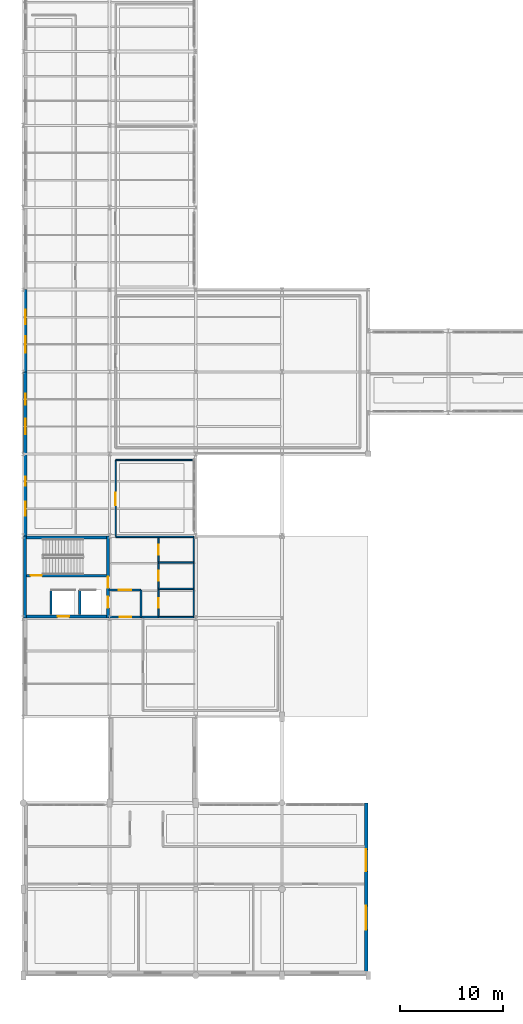
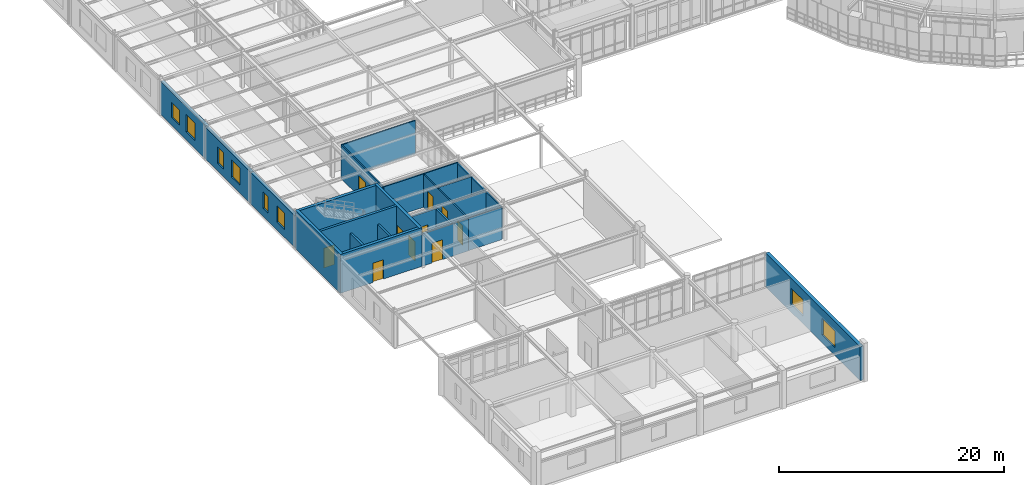
# One storey, part 72 of 90: 22 walls, 10 doors, 8 windows, 18 openings.
"""IFC4 building model written with IfcOpenShell, lengths in metres."""

from ifc_helpers import new_model, si_unit, derived_unit, direction, frame, frame_2d, origin, place, context, subcontext, project, spatial, rectangle, extrude, material, layer, layer_set, type_object, element, fill, save


model = new_model("IFC4")

# Units and contexts
model_context = context("Model", 3, precision=1e-05, world=origin(), true_north=direction((0.0, 1.0)))
body_context = subcontext(model_context, "Body", "Model", "MODEL_VIEW")
ifc_project = project(units=[si_unit("LENGTHUNIT", "METRE"), si_unit("AREAUNIT", "SQUARE_METRE"), si_unit("VOLUMEUNIT", "CUBIC_METRE"), si_unit("PLANEANGLEUNIT", "RADIAN"), si_unit("MASSUNIT", "GRAM", prefix="KILO"), derived_unit("THERMALTRANSMITTANCEUNIT", [(si_unit("POWERUNIT", "WATT"), 1), (si_unit("AREAUNIT", "SQUARE_METRE"), -1), (si_unit("THERMODYNAMICTEMPERATUREUNIT", "KELVIN"), -1)])], contexts=[model_context])

# Site, building, storey
site_placement = place(None, origin())
site = spatial("IfcSite", under=ifc_project, at=site_placement, CompositionType="ELEMENT")
building_placement = place(site_placement, origin())
building = spatial("IfcBuilding", under=site, at=building_placement, Name="Yasenodar Specialist Clinic", CompositionType="ELEMENT")
storey_placement = place(building_placement, frame((0.0, 0.0, 9.0)))
storey = spatial("IfcBuildingStorey", under=building, at=storey_placement, Name="L02", CompositionType="ELEMENT", Elevation=9.0)

# Wall, openings, windows
ifc_material_1 = material(Name="Buff Architectural Terracotta Rainscreen", Category="masonry")
ifc_layer_1 = layer(ifc_material_1, 0.340087890625)
ifc_layer_set_1 = layer_set([ifc_layer_1], Name="Buff Architectural Terracotta Rainscreen")
wall_type_1 = type_object("IfcWallType", Name="EW-TERR-340", PredefinedType="SOLIDWALL", material=ifc_layer_set_1)
wall_1_placement = place(storey_placement, frame((33.39990234375, 16.800048828125, 0.0), z_axis=(0.0, 0.0, 1.0), x_axis=(0.0, -1.0, 0.0)))
wall_1 = element("IfcWall", 1, at=wall_1_placement, inside=storey, type_object=wall_type_1, Name="L02 Exterior Facade Wall 0067", PredefinedType="SOLIDWALL", context=body_context, shape_type="SweptSolid", body=[
    extrude(rectangle(XDim=16.800048828125, YDim=0.340087890625, at=frame_2d((8.39990234375, 0.0))), origin(), (0.0, 0.0, 1.0), 3.66796875),
])
opening_1_placement = place(wall_1_placement, frame((4.52490234375, 0.0, 0.85009765625)))
opening_1 = element("IfcOpeningElement", 2, at=opening_1_placement, cuts=wall_1, Name="Opening W-25", PredefinedType="OPENING", context=body_context, shape_type="SweptSolid", body=[
    extrude(rectangle(XDim=2.14990234375, YDim=1.75, at=frame_2d((1.074951171875, 0.875))), frame((0.0, 0.18017578125, 0.0), z_axis=(0.0, -1.0, 0.0), x_axis=(1.0, 0.0, 0.0)), (0.0, 0.0, 1.0), 0.360107421875),
])
opening_2_placement = place(wall_1_placement, frame((10.02490234375, 0.0, 0.85009765625)))
opening_2 = element("IfcOpeningElement", 3, at=opening_2_placement, cuts=wall_1, Name="Opening W-26", PredefinedType="OPENING", context=body_context, shape_type="SweptSolid", body=[
    extrude(rectangle(XDim=2.35009765625, YDim=1.800048828125, at=frame_2d((1.175048828125, 0.89990234375))), frame((0.0, 0.18017578125, 0.0), z_axis=(0.0, -1.0, 0.0), x_axis=(1.0, 0.0, 0.0)), (0.0, 0.0, 1.0), 0.360107421875),
])
ifc_material_2 = material(Name="Triple Low-E Argon Glazing in Bronze Aluminium Frame", Category="aluminium")
window_type_1 = type_object("IfcWindowType", Name="WIN-EXT-25", PartitioningType="SINGLE_PANEL", PredefinedType="WINDOW", material=ifc_material_2)
window_1_placement = place(opening_1_placement, origin())
window_1 = element("IfcWindow", 4, at=window_1_placement, inside=storey, type_object=window_type_1, Name="L02 Triple-Glazed Reveal Window 0051", OverallHeight=1.75, OverallWidth=2.14990234375, PartitioningType="SINGLE_PANEL", PredefinedType="WINDOW", context=body_context, shape_type="SweptSolid", body=[
    extrude(rectangle(XDim=2.14990234375, YDim=1.75, at=frame_2d((1.074951171875, 0.875))), frame((0.0, 0.030029296875, 0.0), z_axis=(0.0, -1.0, 0.0), x_axis=(1.0, 0.0, 0.0)), (0.0, 0.0, 1.0), 0.06005859375),
])
fill(opening_1, window_1)
window_type_2 = type_object("IfcWindowType", Name="WIN-EXT-26", PartitioningType="SINGLE_PANEL", PredefinedType="WINDOW", material=ifc_material_2)
window_2_placement = place(opening_2_placement, origin())
window_2 = element("IfcWindow", 5, at=window_2_placement, inside=storey, type_object=window_type_2, Name="L02 Triple-Glazed Reveal Window 0052", OverallHeight=1.800048828125, OverallWidth=2.35009765625, PartitioningType="SINGLE_PANEL", PredefinedType="WINDOW", context=body_context, shape_type="SweptSolid", body=[
    extrude(rectangle(XDim=2.35009765625, YDim=1.800048828125, at=frame_2d((1.175048828125, 0.89990234375))), frame((0.0, 0.030029296875, 0.0), z_axis=(0.0, -1.0, 0.0), x_axis=(1.0, 0.0, 0.0)), (0.0, 0.0, 1.0), 0.06005859375),
])
fill(opening_2, window_2)

wall_2_placement = place(storey_placement, frame((0.199951171875, 42.800048828125, 0.0), z_axis=(0.0, 0.0, 1.0), x_axis=(0.0, 1.0, 0.0)))
wall_2 = element("IfcWall", 6, at=wall_2_placement, inside=storey, type_object=wall_type_1, Name="L02 Exterior Facade Wall 0100", PredefinedType="SOLIDWALL", context=body_context, shape_type="SweptSolid", body=[
    extrude(rectangle(XDim=8.0, YDim=0.340087890625, at=frame_2d((4.0, 0.0))), origin(), (0.0, 0.0, 1.0), 3.427978515625),
])
opening_3_placement = place(wall_2_placement, frame((1.99169921875, 0.0, 0.85009765625)))
opening_3 = element("IfcOpeningElement", 7, at=opening_3_placement, cuts=wall_2, Name="Opening W-02", PredefinedType="OPENING", context=body_context, shape_type="SweptSolid", body=[
    extrude(rectangle(XDim=1.35009765625, YDim=1.800048828125, at=frame_2d((0.675048828125, 0.89990234375))), frame((0.0, 0.18017578125, 0.0), z_axis=(0.0, -1.0, 0.0), x_axis=(1.0, 0.0, 0.0)), (0.0, 0.0, 1.0), 0.360107421875),
])
opening_4_placement = place(wall_2_placement, frame((4.88330078125, 0.0, 0.85009765625)))
opening_4 = element("IfcOpeningElement", 8, at=opening_4_placement, cuts=wall_2, Name="Opening W-09", PredefinedType="OPENING", context=body_context, shape_type="SweptSolid", body=[
    extrude(rectangle(XDim=0.89990234375, YDim=1.800048828125, at=frame_2d((0.449951171875, 0.89990234375))), frame((0.0, 0.18017578125, 0.0), z_axis=(0.0, -1.0, 0.0), x_axis=(1.0, 0.0, 0.0)), (0.0, 0.0, 1.0), 0.360107421875),
])
window_type_3 = type_object("IfcWindowType", Name="WIN-EXT-02", PartitioningType="SINGLE_PANEL", PredefinedType="WINDOW", material=ifc_material_2)
window_3_placement = place(opening_3_placement, origin())
window_3 = element("IfcWindow", 9, at=window_3_placement, inside=storey, type_object=window_type_3, Name="L02 Triple-Glazed Reveal Window 0092", OverallHeight=1.800048828125, OverallWidth=1.35009765625, PartitioningType="SINGLE_PANEL", PredefinedType="WINDOW", context=body_context, shape_type="SweptSolid", body=[
    extrude(rectangle(XDim=1.35009765625, YDim=1.800048828125, at=frame_2d((0.675048828125, 0.89990234375))), frame((0.0, 0.030029296875, 0.0), z_axis=(0.0, -1.0, 0.0), x_axis=(1.0, 0.0, 0.0)), (0.0, 0.0, 1.0), 0.06005859375),
])
fill(opening_3, window_3)
window_type_4 = type_object("IfcWindowType", Name="WIN-EXT-09", PartitioningType="SINGLE_PANEL", PredefinedType="WINDOW", material=ifc_material_2)
window_4_placement = place(opening_4_placement, origin())
window_4 = element("IfcWindow", 10, at=window_4_placement, inside=storey, type_object=window_type_4, Name="L02 Triple-Glazed Reveal Window 0093", OverallHeight=1.800048828125, OverallWidth=0.89990234375, PartitioningType="SINGLE_PANEL", PredefinedType="WINDOW", context=body_context, shape_type="SweptSolid", body=[
    extrude(rectangle(XDim=0.89990234375, YDim=1.800048828125, at=frame_2d((0.449951171875, 0.89990234375))), frame((0.0, 0.030029296875, 0.0), z_axis=(0.0, -1.0, 0.0), x_axis=(1.0, 0.0, 0.0)), (0.0, 0.0, 1.0), 0.06005859375),
])
fill(opening_4, window_4)

wall_3_placement = place(storey_placement, frame((0.199951171875, 50.800048828125, 0.0), z_axis=(0.0, 0.0, 1.0), x_axis=(0.0, 1.0, 0.0)))
wall_3 = element("IfcWall", 11, at=wall_3_placement, inside=storey, type_object=wall_type_1, Name="L02 Exterior Facade Wall 0101", PredefinedType="SOLIDWALL", context=body_context, shape_type="SweptSolid", body=[
    extrude(rectangle(XDim=8.0, YDim=0.340087890625, at=frame_2d((4.0, 0.0))), origin(), (0.0, 0.0, 1.0), 3.427978515625),
])
opening_5_placement = place(wall_3_placement, frame((1.916748046875, 0.0, 0.85009765625)))
opening_5 = element("IfcOpeningElement", 12, at=opening_5_placement, cuts=wall_3, Name="Opening W-03", PredefinedType="OPENING", context=body_context, shape_type="SweptSolid", body=[
    extrude(rectangle(XDim=1.5, YDim=1.85009765625, at=frame_2d((0.75, 0.925048828125))), frame((0.0, 0.18017578125, 0.0), z_axis=(0.0, -1.0, 0.0), x_axis=(1.0, 0.0, 0.0)), (0.0, 0.0, 1.0), 0.360107421875),
])
opening_6_placement = place(wall_3_placement, frame((4.808349609375, 0.0, 0.85009765625)))
opening_6 = element("IfcOpeningElement", 13, at=opening_6_placement, cuts=wall_3, Name="Opening W-10", PredefinedType="OPENING", context=body_context, shape_type="SweptSolid", body=[
    extrude(rectangle(XDim=1.050048828125, YDim=1.75, at=frame_2d((0.52490234375, 0.875))), frame((0.0, 0.18017578125, 0.0), z_axis=(0.0, -1.0, 0.0), x_axis=(1.0, 0.0, 0.0)), (0.0, 0.0, 1.0), 0.360107421875),
])
window_type_5 = type_object("IfcWindowType", Name="WIN-EXT-03", PartitioningType="SINGLE_PANEL", PredefinedType="WINDOW", material=ifc_material_2)
window_5_placement = place(opening_5_placement, origin())
window_5 = element("IfcWindow", 14, at=window_5_placement, inside=storey, type_object=window_type_5, Name="L02 Triple-Glazed Reveal Window 0094", OverallHeight=1.85009765625, OverallWidth=1.5, PartitioningType="SINGLE_PANEL", PredefinedType="WINDOW", context=body_context, shape_type="SweptSolid", body=[
    extrude(rectangle(XDim=1.5, YDim=1.85009765625, at=frame_2d((0.75, 0.925048828125))), frame((0.0, 0.030029296875, 0.0), z_axis=(0.0, -1.0, 0.0), x_axis=(1.0, 0.0, 0.0)), (0.0, 0.0, 1.0), 0.06005859375),
])
fill(opening_5, window_5)
window_type_6 = type_object("IfcWindowType", Name="WIN-EXT-10", PartitioningType="SINGLE_PANEL", PredefinedType="WINDOW", material=ifc_material_2)
window_6_placement = place(opening_6_placement, origin())
window_6 = element("IfcWindow", 15, at=window_6_placement, inside=storey, type_object=window_type_6, Name="L02 Triple-Glazed Reveal Window 0095", OverallHeight=1.75, OverallWidth=1.050048828125, PartitioningType="SINGLE_PANEL", PredefinedType="WINDOW", context=body_context, shape_type="SweptSolid", body=[
    extrude(rectangle(XDim=1.050048828125, YDim=1.75, at=frame_2d((0.52490234375, 0.875))), frame((0.0, 0.030029296875, 0.0), z_axis=(0.0, -1.0, 0.0), x_axis=(1.0, 0.0, 0.0)), (0.0, 0.0, 1.0), 0.06005859375),
])
fill(opening_6, window_6)

wall_4_placement = place(storey_placement, frame((0.199951171875, 58.800048828125, 0.0), z_axis=(0.0, 0.0, 1.0), x_axis=(0.0, 1.0, 0.0)))
wall_4 = element("IfcWall", 16, at=wall_4_placement, inside=storey, type_object=wall_type_1, Name="L02 Exterior Facade Wall 0102", PredefinedType="SOLIDWALL", context=body_context, shape_type="SweptSolid", body=[
    extrude(rectangle(XDim=8.0, YDim=0.340087890625, at=frame_2d((4.0, 0.0))), origin(), (0.0, 0.0, 1.0), 3.597900390625),
])
opening_7_placement = place(wall_4_placement, frame((1.86669921875, 0.0, 0.85009765625)))
opening_7 = element("IfcOpeningElement", 17, at=opening_7_placement, cuts=wall_4, Name="Opening W-04", PredefinedType="OPENING", context=body_context, shape_type="SweptSolid", body=[
    extrude(rectangle(XDim=1.60009765625, YDim=1.89990234375, at=frame_2d((0.800048828125, 0.949951171875))), frame((0.0, 0.18017578125, 0.0), z_axis=(0.0, -1.0, 0.0), x_axis=(1.0, 0.0, 0.0)), (0.0, 0.0, 1.0), 0.360107421875),
])
opening_8_placement = place(wall_4_placement, frame((4.63330078125, 0.0, 0.85009765625)))
opening_8 = element("IfcOpeningElement", 18, at=opening_8_placement, cuts=wall_4, Name="Opening W-11", PredefinedType="OPENING", context=body_context, shape_type="SweptSolid", body=[
    extrude(rectangle(XDim=1.39990234375, YDim=1.64990234375, at=frame_2d((0.699951171875, 0.824951171875))), frame((0.0, 0.18017578125, 0.0), z_axis=(0.0, -1.0, 0.0), x_axis=(1.0, 0.0, 0.0)), (0.0, 0.0, 1.0), 0.360107421875),
])
window_type_7 = type_object("IfcWindowType", Name="WIN-EXT-04", PartitioningType="SINGLE_PANEL", PredefinedType="WINDOW", material=ifc_material_2)
window_7_placement = place(opening_7_placement, origin())
window_7 = element("IfcWindow", 19, at=window_7_placement, inside=storey, type_object=window_type_7, Name="L02 Triple-Glazed Reveal Window 0096", OverallHeight=1.89990234375, OverallWidth=1.60009765625, PartitioningType="SINGLE_PANEL", PredefinedType="WINDOW", context=body_context, shape_type="SweptSolid", body=[
    extrude(rectangle(XDim=1.60009765625, YDim=1.89990234375, at=frame_2d((0.800048828125, 0.949951171875))), frame((0.0, 0.030029296875, 0.0), z_axis=(0.0, -1.0, 0.0), x_axis=(1.0, 0.0, 0.0)), (0.0, 0.0, 1.0), 0.06005859375),
])
fill(opening_7, window_7)
window_type_8 = type_object("IfcWindowType", Name="WIN-EXT-11", PartitioningType="SINGLE_PANEL", PredefinedType="WINDOW", material=ifc_material_2)
window_8_placement = place(opening_8_placement, origin())
window_8 = element("IfcWindow", 20, at=window_8_placement, inside=storey, type_object=window_type_8, Name="L02 Triple-Glazed Reveal Window 0097", OverallHeight=1.64990234375, OverallWidth=1.39990234375, PartitioningType="SINGLE_PANEL", PredefinedType="WINDOW", context=body_context, shape_type="SweptSolid", body=[
    extrude(rectangle(XDim=1.39990234375, YDim=1.64990234375, at=frame_2d((0.699951171875, 0.824951171875))), frame((0.0, 0.030029296875, 0.0), z_axis=(0.0, -1.0, 0.0), x_axis=(1.0, 0.0, 0.0)), (0.0, 0.0, 1.0), 0.06005859375),
])
fill(opening_8, window_8)

# Wall, opening, door
ifc_material_3 = material(Name="Fire-Rated Gypsum and Mineral-Wool Wall")
ifc_layer_2 = layer(ifc_material_3, 0.195068359375)
ifc_layer_set_2 = layer_set([ifc_layer_2], Name="Fire-Rated Gypsum and Mineral-Wool Wall")
wall_type_2 = type_object("IfcWallType", Name="IW-LOBBY-195", PredefinedType="PARTITIONING", material=ifc_layer_set_2)
wall_5_placement = place(storey_placement, frame((8.35009765625, 37.550048828125, 0.0), z_axis=(0.0, 0.0, 1.0), x_axis=(1.0, 0.0, 0.0)))
wall_5 = element("IfcWall", 21, at=wall_5_placement, inside=storey, type_object=wall_type_2, Name="L02 C1 Passenger Lift Lobby North Wall", PredefinedType="PARTITIONING", context=body_context, shape_type="SweptSolid", body=[
    extrude(rectangle(XDim=3.099853515625, YDim=0.195068359375, at=frame_2d((1.5498046875, 0.0))), origin(), (0.0, 0.0, 1.0), 3.597900390625),
])
opening_9_placement = place(wall_5_placement, frame((0.949951171875, 0.0, 0.0)))
opening_9 = element("IfcOpeningElement", 22, at=opening_9_placement, cuts=wall_5, Name="Opening FD-02", PredefinedType="OPENING", context=body_context, shape_type="SweptSolid", body=[
    extrude(rectangle(XDim=1.199951171875, YDim=2.14990234375, at=frame_2d((0.60009765625, 1.074951171875))), frame((0.0, 0.107421875, 0.0), z_axis=(0.0, -1.0, 0.0), x_axis=(1.0, 0.0, 0.0)), (0.0, 0.0, 1.0), 0.215087890625),
])
ifc_material_4 = material(Name="Fire-Rated Insulated Steel Door", Category="steel")
door_type_1 = type_object("IfcDoorType", Name="DR-FD-120", OperationType="NOTDEFINED", PredefinedType="DOOR", material=ifc_material_4)
door_1_placement = place(opening_9_placement, origin())
door_1 = element("IfcDoor", 23, at=door_1_placement, inside=storey, type_object=door_type_1, Name="L02 C1 Passenger Lift Lobby Door", OperationType="SINGLE_SWING_RIGHT", OverallHeight=2.14990234375, OverallWidth=1.199951171875, PredefinedType="DOOR", context=body_context, shape_type="SweptSolid", body=[
    extrude(rectangle(XDim=1.199951171875, YDim=2.14990234375, at=frame_2d((0.60009765625, 1.074951171875))), frame((0.0, 0.02490234375, 0.0), z_axis=(0.0, -1.0, 0.0), x_axis=(1.0, 0.0, 0.0)), (0.0, 0.0, 1.0), 0.050048828125),
])
fill(opening_9, door_1)

# Wall
wall_6_placement = place(storey_placement, frame((11.449951171875, 34.89990234375, 0.0), z_axis=(0.0, 0.0, 1.0), x_axis=(0.0, 1.0, 0.0)))
element("IfcWall", 24, at=wall_6_placement, inside=storey, type_object=wall_type_2, Name="L02 C1 Passenger Lift Lobby East Wall", PredefinedType="PARTITIONING", context=body_context, shape_type="SweptSolid", body=[
    extrude(rectangle(XDim=2.650146484375, YDim=0.195068359375, at=frame_2d((1.3251953125, 0.0))), origin(), (0.0, 0.0, 1.0), 3.5380859375),
])

# Wall, opening, door
wall_7_placement = place(storey_placement, frame((8.35009765625, 34.89990234375, 0.0), z_axis=(0.0, 0.0, 1.0), x_axis=(1.0, 0.0, 0.0)))
wall_7 = element("IfcWall", 25, at=wall_7_placement, inside=storey, type_object=wall_type_2, Name="L02 C1 Passenger Lift Lobby South Wall", PredefinedType="PARTITIONING", context=body_context, shape_type="SweptSolid", body=[
    extrude(rectangle(XDim=4.7998046875, YDim=0.195068359375, at=frame_2d((2.39990234375, 0.0))), origin(), (0.0, 0.0, 1.0), 3.488037109375),
])
opening_10_placement = place(wall_7_placement, frame((1.050048828125, 0.0, 0.0)))
opening_10 = element("IfcOpeningElement", 26, at=opening_10_placement, cuts=wall_7, Name="Opening FD-01", PredefinedType="OPENING", context=body_context, shape_type="SweptSolid", body=[
    extrude(rectangle(XDim=1.10009765625, YDim=2.14990234375, at=frame_2d((0.550048828125, 1.074951171875))), frame((0.0, 0.107421875, 0.0), z_axis=(0.0, -1.0, 0.0), x_axis=(1.0, 0.0, 0.0)), (0.0, 0.0, 1.0), 0.215087890625),
])
door_type_2 = type_object("IfcDoorType", Name="DR-FD-110", OperationType="NOTDEFINED", PredefinedType="DOOR", material=ifc_material_4)
door_2_placement = place(opening_10_placement, origin())
door_2 = element("IfcDoor", 27, at=door_2_placement, inside=storey, type_object=door_type_2, Name="L02 C1 South Spine Door", OperationType="SINGLE_SWING_LEFT", OverallHeight=2.14990234375, OverallWidth=1.10009765625, PredefinedType="DOOR", context=body_context, shape_type="SweptSolid", body=[
    extrude(rectangle(XDim=1.10009765625, YDim=2.14990234375, at=frame_2d((0.550048828125, 1.074951171875))), frame((0.0, 0.02490234375, 0.0), z_axis=(0.0, -1.0, 0.0), x_axis=(1.0, 0.0, 0.0)), (0.0, 0.0, 1.0), 0.050048828125),
])
fill(opening_10, door_2)

ifc_material_5 = material(Name="Lightweight Counseling Partition")
ifc_layer_3 = layer(ifc_material_5, 0.114990234375)
ifc_layer_set_3 = layer_set([ifc_layer_3], Name="Lightweight Counseling Partition")
wall_type_3 = type_object("IfcWallType", Name="IW-PART-115", PredefinedType="PARTITIONING", material=ifc_layer_set_3)
wall_8_placement = place(storey_placement, frame((9.0, 50.199951171875, 0.0), z_axis=(0.0, 0.0, 1.0), x_axis=(0.0, -1.0, 0.0)))
wall_8 = element("IfcWall", 28, at=wall_8_placement, inside=storey, type_object=wall_type_3, Name="L02 Electromyography Suite Partition", PredefinedType="PARTITIONING", context=body_context, shape_type="SweptSolid", body=[
    extrude(rectangle(XDim=7.419921875, YDim=0.114990234375, at=frame_2d((3.7099609375, 0.0))), origin(), (0.0, 0.0, 1.0), 3.657958984375),
])
opening_11_placement = place(wall_8_placement, frame((3.159912109375, 0.0, 0.0)))
opening_11 = element("IfcOpeningElement", 29, at=opening_11_placement, cuts=wall_8, Name="Opening D-07", PredefinedType="OPENING", context=body_context, shape_type="SweptSolid", body=[
    extrude(rectangle(XDim=1.239990234375, YDim=2.199951171875, at=frame_2d((0.6201171875, 1.10009765625))), frame((0.0, 0.0673828125, 0.0), z_axis=(0.0, -1.0, 0.0), x_axis=(1.0, 0.0, 0.0)), (0.0, 0.0, 1.0), 0.135009765625),
])
ifc_material_6 = material(Name="Powder-Coated Steel and Acoustic Laminate Leaf", Category="steel")
door_type_3 = type_object("IfcDoorType", Name="DR-CLN-124", OperationType="NOTDEFINED", PredefinedType="DOOR", material=ifc_material_6)
door_3_placement = place(opening_11_placement, origin())
door_3 = element("IfcDoor", 30, at=door_3_placement, inside=storey, type_object=door_type_3, Name="L02 Electromyography Suite Door", OperationType="SINGLE_SWING_LEFT", OverallHeight=2.199951171875, OverallWidth=1.239990234375, PredefinedType="DOOR", context=body_context, shape_type="SweptSolid", body=[
    extrude(rectangle(XDim=1.239990234375, YDim=2.199951171875, at=frame_2d((0.6201171875, 1.10009765625))), frame((0.0, 0.02490234375, 0.0), z_axis=(0.0, -1.0, 0.0), x_axis=(1.0, 0.0, 0.0)), (0.0, 0.0, 1.0), 0.050048828125),
])
fill(opening_11, door_3)

# Walls
wall_9_placement = place(storey_placement, frame((16.590087890625, 50.199951171875, 0.0), z_axis=(0.0, 0.0, 1.0), x_axis=(-1.0, 0.0, 0.0)))
element("IfcWall", 31, at=wall_9_placement, inside=storey, type_object=wall_type_3, Name="L02 Electromyography Suite Partition", PredefinedType="PARTITIONING", context=body_context, shape_type="SweptSolid", body=[
    extrude(rectangle(XDim=7.590087890625, YDim=0.114990234375, at=frame_2d((3.794921875, 0.0))), origin(), (0.0, 0.0, 1.0), 3.64794921875),
])
ifc_material_7 = material(Name="Aerated Concrete Blockwork Fire Shaft Wall", Category="masonry")
ifc_layer_4 = layer(ifc_material_7, 0.205078125)
ifc_layer_set_4 = layer_set([ifc_layer_4], Name="Aerated Concrete Blockwork Fire Shaft Wall")
wall_type_4 = type_object("IfcWallType", Name="IW-SHAFT-205", PredefinedType="PARTITIONING", material=ifc_layer_set_4)
for number, where, z_axis, x_axis, name in (
    (32, (5.5, 35.14990234375, 0.0), (0.0, 0.0, 1.0), (0.0, 1.0, 0.0), "L02 LF-01 Lift Shaft Side Wall"),
    (33, (2.699951171875, 35.14990234375, 0.0), (0.0, 0.0, 1.0), (0.0, 1.0, 0.0), "L02 LF-05 Lift Shaft Side Wall"),
):
    element("IfcWall", number, at=place(storey_placement, frame(where, z_axis=z_axis, x_axis=x_axis)), inside=storey, type_object=wall_type_4, Name=name, PredefinedType="PARTITIONING", context=body_context, shape_type="SweptSolid", body=[
        extrude(rectangle(XDim=2.400146484375, YDim=0.205078125, at=frame_2d((1.2001953125, 0.0))), origin(), (0.0, 0.0, 1.0), 3.929931640625),
    ])

# Wall, openings, doors
ifc_material_8 = material(Name="Moisture-Resistant Sanitary Partition")
ifc_layer_5 = layer(ifc_material_8, 0.139892578125)
ifc_layer_set_5 = layer_set([ifc_layer_5], Name="Moisture-Resistant Sanitary Partition")
wall_type_5 = type_object("IfcWallType", Name="IW-WET-140", PredefinedType="PARTITIONING", material=ifc_layer_set_5)
wall_10_placement = place(storey_placement, frame((13.14990234375, 34.89990234375, 0.0), z_axis=(0.0, 0.0, 1.0), x_axis=(0.0, 1.0, 0.0)))
wall_10 = element("IfcWall", 34, at=wall_10_placement, inside=storey, type_object=wall_type_5, Name="L02 West Sanitary Block Corridor Wall", PredefinedType="PARTITIONING", context=body_context, shape_type="SweptSolid", body=[
    extrude(rectangle(XDim=7.820068359375, YDim=0.139892578125, at=frame_2d((3.91015625, 0.0))), origin(), (0.0, 0.0, 1.0), 3.5380859375),
])
opening_12_placement = place(wall_10_placement, frame((0.89990234375, 0.0, 0.0)))
opening_12 = element("IfcOpeningElement", 35, at=opening_12_placement, cuts=wall_10, Name="Opening D-01", PredefinedType="OPENING", context=body_context, shape_type="SweptSolid", body=[
    extrude(rectangle(XDim=0.949951171875, YDim=2.1201171875, at=frame_2d((0.47509765625, 1.06005859375))), frame((0.0, 0.080078125, 0.0), z_axis=(0.0, -1.0, 0.0), x_axis=(1.0, 0.0, 0.0)), (0.0, 0.0, 1.0), 0.159912109375),
])
opening_13_placement = place(wall_10_placement, frame((3.550048828125, 0.0, 0.0)))
opening_13 = element("IfcOpeningElement", 36, at=opening_13_placement, cuts=wall_10, Name="Opening D-02", PredefinedType="OPENING", context=body_context, shape_type="SweptSolid", body=[
    extrude(rectangle(XDim=0.97998046875, YDim=2.139892578125, at=frame_2d((0.489990234375, 1.06982421875))), frame((0.0, 0.080078125, 0.0), z_axis=(0.0, -1.0, 0.0), x_axis=(1.0, 0.0, 0.0)), (0.0, 0.0, 1.0), 0.159912109375),
])
opening_14_placement = place(wall_10_placement, frame((6.080078125, 0.0, 0.0)))
opening_14 = element("IfcOpeningElement", 37, at=opening_14_placement, cuts=wall_10, Name="Opening D-02", PredefinedType="OPENING", context=body_context, shape_type="SweptSolid", body=[
    extrude(rectangle(XDim=0.97998046875, YDim=2.139892578125, at=frame_2d((0.489990234375, 1.06982421875))), frame((0.0, 0.080078125, 0.0), z_axis=(0.0, -1.0, 0.0), x_axis=(1.0, 0.0, 0.0)), (0.0, 0.0, 1.0), 0.159912109375),
])
door_type_4 = type_object("IfcDoorType", Name="DR-CLN-095", OperationType="NOTDEFINED", PredefinedType="DOOR", material=ifc_material_6)
door_4_placement = place(opening_12_placement, origin())
door_4 = element("IfcDoor", 38, at=door_4_placement, inside=storey, type_object=door_type_4, Name="L02 Accessible WC Door", OperationType="SINGLE_SWING_RIGHT", OverallHeight=2.1201171875, OverallWidth=0.949951171875, PredefinedType="DOOR", context=body_context, shape_type="SweptSolid", body=[
    extrude(rectangle(XDim=0.949951171875, YDim=2.1201171875, at=frame_2d((0.47509765625, 1.06005859375))), frame((0.0, 0.02490234375, 0.0), z_axis=(0.0, -1.0, 0.0), x_axis=(1.0, 0.0, 0.0)), (0.0, 0.0, 1.0), 0.050048828125),
])
fill(opening_12, door_4)
door_type_5 = type_object("IfcDoorType", Name="DR-CLN-098", OperationType="NOTDEFINED", PredefinedType="DOOR", material=ifc_material_6)
door_5_placement = place(opening_13_placement, origin())
door_5 = element("IfcDoor", 39, at=door_5_placement, inside=storey, type_object=door_type_5, Name="L02 Patient Washroom WC Door", OperationType="SINGLE_SWING_LEFT", OverallHeight=2.139892578125, OverallWidth=0.97998046875, PredefinedType="DOOR", context=body_context, shape_type="SweptSolid", body=[
    extrude(rectangle(XDim=0.97998046875, YDim=2.139892578125, at=frame_2d((0.489990234375, 1.06982421875))), frame((0.0, 0.02490234375, 0.0), z_axis=(0.0, -1.0, 0.0), x_axis=(1.0, 0.0, 0.0)), (0.0, 0.0, 1.0), 0.050048828125),
])
fill(opening_13, door_5)
door_6_placement = place(opening_14_placement, origin())
door_6 = element("IfcDoor", 40, at=door_6_placement, inside=storey, type_object=door_type_5, Name="L02 Staff Washroom WC Door", OperationType="SINGLE_SWING_RIGHT", OverallHeight=2.139892578125, OverallWidth=0.97998046875, PredefinedType="DOOR", context=body_context, shape_type="SweptSolid", body=[
    extrude(rectangle(XDim=0.97998046875, YDim=2.139892578125, at=frame_2d((0.489990234375, 1.06982421875))), frame((0.0, 0.02490234375, 0.0), z_axis=(0.0, -1.0, 0.0), x_axis=(1.0, 0.0, 0.0)), (0.0, 0.0, 1.0), 0.050048828125),
])
fill(opening_14, door_6)

# Walls
wall_11_placement = place(storey_placement, frame((16.60009765625, 34.89990234375, 0.0), z_axis=(0.0, 0.0, 1.0), x_axis=(0.0, 1.0, 0.0)))
element("IfcWall", 41, at=wall_11_placement, inside=storey, type_object=wall_type_5, Name="L02 West Sanitary Block East Wall", PredefinedType="PARTITIONING", context=body_context, shape_type="SweptSolid", body=[
    extrude(rectangle(XDim=7.820068359375, YDim=0.139892578125, at=frame_2d((3.91015625, 0.0))), origin(), (0.0, 0.0, 1.0), 3.5380859375),
])
wall_12_placement = place(storey_placement, frame((13.14990234375, 34.89990234375, 0.0), z_axis=(0.0, 0.0, 1.0), x_axis=(1.0, 0.0, 0.0)))
element("IfcWall", 42, at=wall_12_placement, inside=storey, type_object=wall_type_5, Name="L02 West Sanitary Block South Wall", PredefinedType="PARTITIONING", context=body_context, shape_type="SweptSolid", body=[
    extrude(rectangle(XDim=3.4501953125, YDim=0.139892578125, at=frame_2d((1.72509765625, 0.0))), origin(), (0.0, 0.0, 1.0), 3.5380859375),
])
wall_13_placement = place(storey_placement, frame((9.0, 42.719970703125, 0.0), z_axis=(0.0, 0.0, 1.0), x_axis=(1.0, 0.0, 0.0)))
element("IfcWall", 43, at=wall_13_placement, inside=storey, type_object=wall_type_5, Name="L02 West Sanitary Block North Wall", PredefinedType="PARTITIONING", context=body_context, shape_type="SweptSolid", body=[
    extrude(rectangle(XDim=7.60009765625, YDim=0.139892578125, at=frame_2d((3.800048828125, 0.0))), origin(), (0.0, 0.0, 1.0), 3.6279296875),
])
wall_14_placement = place(storey_placement, frame((13.14990234375, 37.659912109375, 0.0), z_axis=(0.0, 0.0, 1.0), x_axis=(1.0, 0.0, 0.0)))
element("IfcWall", 44, at=wall_14_placement, inside=storey, type_object=wall_type_5, Name="L02 West Accessible WC Divider Wall", PredefinedType="PARTITIONING", context=body_context, shape_type="SweptSolid", body=[
    extrude(rectangle(XDim=3.4501953125, YDim=0.139892578125, at=frame_2d((1.72509765625, 0.0))), origin(), (0.0, 0.0, 1.0), 3.597900390625),
])
wall_15_placement = place(storey_placement, frame((13.14990234375, 40.2099609375, 0.0), z_axis=(0.0, 0.0, 1.0), x_axis=(1.0, 0.0, 0.0)))
element("IfcWall", 45, at=wall_15_placement, inside=storey, type_object=wall_type_5, Name="L02 West Patient and Staff WC Divider Wall", PredefinedType="PARTITIONING", context=body_context, shape_type="SweptSolid", body=[
    extrude(rectangle(XDim=3.4501953125, YDim=0.139892578125, at=frame_2d((1.72509765625, 0.0))), origin(), (0.0, 0.0, 1.0), 3.6279296875),
])

# Wall, opening, door
ifc_material_9 = material(Name="Concrete C35/45", Category="concrete")
ifc_layer_6 = layer(ifc_material_9, 0.25)
ifc_layer_set_6 = layer_set([ifc_layer_6], Name="Concrete C35/45")
wall_type_6 = type_object("IfcWallType", Name="WL-CORE-250", PredefinedType="SHEAR", material=ifc_layer_set_6)
wall_16_placement = place(storey_placement, frame((0.300048828125, 38.949951171875, 0.0), z_axis=(0.0, 0.0, 1.0), x_axis=(1.0, 0.0, 0.0)))
wall_16 = element("IfcWall", 46, at=wall_16_placement, inside=storey, type_object=wall_type_6, Name="L02 Core C1 Central Spine Wall", PredefinedType="SHEAR", context=body_context, shape_type="SweptSolid", body=[
    extrude(rectangle(XDim=7.800048828125, YDim=0.25, at=frame_2d((3.89990234375, 0.0))), origin(), (0.0, 0.0, 1.0), 4.199951171875),
])
opening_15_placement = place(wall_16_placement, frame((0.39990234375, 0.0, 0.0)))
opening_15 = element("IfcOpeningElement", 47, at=opening_15_placement, cuts=wall_16, Name="Opening FD-01", PredefinedType="OPENING", context=body_context, shape_type="SweptSolid", body=[
    extrude(rectangle(XDim=1.10009765625, YDim=2.14990234375, at=frame_2d((0.550048828125, 1.074951171875))), frame((0.0, 0.135009765625, 0.0), z_axis=(0.0, -1.0, 0.0), x_axis=(1.0, 0.0, 0.0)), (0.0, 0.0, 1.0), 0.27001953125),
])
door_7_placement = place(opening_15_placement, origin())
door_7 = element("IfcDoor", 48, at=door_7_placement, inside=storey, type_object=door_type_2, Name="L02 ST-01 Protected Stair Door", OperationType="SINGLE_SWING_RIGHT", OverallHeight=2.14990234375, OverallWidth=1.10009765625, PredefinedType="DOOR", context=body_context, shape_type="SweptSolid", body=[
    extrude(rectangle(XDim=1.10009765625, YDim=2.14990234375, at=frame_2d((0.550048828125, 1.074951171875))), frame((0.0, 0.02490234375, 0.0), z_axis=(0.0, -1.0, 0.0), x_axis=(1.0, 0.0, 0.0)), (0.0, 0.0, 1.0), 0.050048828125),
])
fill(opening_15, door_7)

# Wall
ifc_layer_7 = layer(ifc_material_9, 0.300048828125)
ifc_layer_set_7 = layer_set([ifc_layer_7], Name="Concrete C35/45")
wall_type_7 = type_object("IfcWallType", Name="WL-CORE-300", PredefinedType="SHEAR", material=ifc_layer_set_7)
wall_17_placement = place(storey_placement, frame((0.0, 42.64990234375, 0.0), z_axis=(0.0, 0.0, 1.0), x_axis=(1.0, 0.0, 0.0)))
element("IfcWall", 49, at=wall_17_placement, inside=storey, type_object=wall_type_7, Name="L02 Core C1 North Shear Wall", PredefinedType="SHEAR", context=body_context, shape_type="SweptSolid", body=[
    extrude(rectangle(XDim=8.39990234375, YDim=0.300048828125, at=frame_2d((4.199951171875, 0.0))), origin(), (0.0, 0.0, 1.0), 4.199951171875),
])

# Wall, opening, door
wall_18_placement = place(storey_placement, frame((0.0, 34.949951171875, 0.0), z_axis=(0.0, 0.0, 1.0), x_axis=(1.0, 0.0, 0.0)))
wall_18 = element("IfcWall", 50, at=wall_18_placement, inside=storey, type_object=wall_type_7, Name="L02 Core C1 South Shear Wall", PredefinedType="SHEAR", context=body_context, shape_type="SweptSolid", body=[
    extrude(rectangle(XDim=8.39990234375, YDim=0.300048828125, at=frame_2d((4.199951171875, 0.0))), origin(), (0.0, 0.0, 1.0), 4.199951171875),
])
opening_16_placement = place(wall_18_placement, frame((3.35009765625, 0.0, 0.0)))
opening_16 = element("IfcOpeningElement", 51, at=opening_16_placement, cuts=wall_18, Name="Opening LD-03", PredefinedType="OPENING", context=body_context, shape_type="SweptSolid", body=[
    extrude(rectangle(XDim=1.10009765625, YDim=2.10009765625, at=frame_2d((0.550048828125, 1.050048828125))), frame((0.0, 0.16015625, 0.0), z_axis=(0.0, -1.0, 0.0), x_axis=(1.0, 0.0, 0.0)), (0.0, 0.0, 1.0), 0.320068359375),
])
door_type_6 = type_object("IfcDoorType", Name="DR-LD-110", OperationType="DOUBLE_DOOR_SLIDING", PredefinedType="DOOR", material=ifc_material_4)
door_8_placement = place(opening_16_placement, origin())
door_8 = element("IfcDoor", 52, at=door_8_placement, inside=storey, type_object=door_type_6, Name="L02 LF-05 Lift Landing Door", OperationType="DOUBLE_DOOR_SLIDING", OverallHeight=2.10009765625, OverallWidth=1.10009765625, PredefinedType="DOOR", context=body_context, shape_type="SweptSolid", body=[
    extrude(rectangle(XDim=1.10009765625, YDim=2.10009765625, at=frame_2d((0.550048828125, 1.050048828125))), frame((0.0, 0.02490234375, 0.0), z_axis=(0.0, -1.0, 0.0), x_axis=(1.0, 0.0, 0.0)), (0.0, 0.0, 1.0), 0.050048828125),
])
fill(opening_16, door_8)

# Wall
wall_19_placement = place(storey_placement, frame((0.14990234375, 34.800048828125, 0.0), z_axis=(0.0, 0.0, 1.0), x_axis=(0.0, 1.0, 0.0)))
element("IfcWall", 53, at=wall_19_placement, inside=storey, type_object=wall_type_7, Name="L02 Core C1 West Shear Wall", PredefinedType="SHEAR", context=body_context, shape_type="SweptSolid", body=[
    extrude(rectangle(XDim=8.0, YDim=0.300048828125, at=frame_2d((4.0, 0.0))), origin(), (0.0, 0.0, 1.0), 4.199951171875),
])

# Wall, openings, doors
wall_20_placement = place(storey_placement, frame((8.25, 34.800048828125, 0.0), z_axis=(0.0, 0.0, 1.0), x_axis=(0.0, 1.0, 0.0)))
wall_20 = element("IfcWall", 54, at=wall_20_placement, inside=storey, type_object=wall_type_7, Name="L02 Core C1 East Shear Wall", PredefinedType="SHEAR", context=body_context, shape_type="SweptSolid", body=[
    extrude(rectangle(XDim=8.0, YDim=0.300048828125, at=frame_2d((4.0, 0.0))), origin(), (0.0, 0.0, 1.0), 4.199951171875),
])
opening_17_placement = place(wall_20_placement, frame((2.949951171875, 0.0, 0.0)))
opening_17 = element("IfcOpeningElement", 55, at=opening_17_placement, cuts=wall_20, Name="Opening FD-01", PredefinedType="OPENING", context=body_context, shape_type="SweptSolid", body=[
    extrude(rectangle(XDim=1.10009765625, YDim=2.14990234375, at=frame_2d((0.550048828125, 1.074951171875))), frame((0.0, 0.16015625, 0.0), z_axis=(0.0, -1.0, 0.0), x_axis=(1.0, 0.0, 0.0)), (0.0, 0.0, 1.0), 0.320068359375),
])
opening_18_placement = place(wall_20_placement, frame((1.0, 0.0, 0.0)))
opening_18 = element("IfcOpeningElement", 56, at=opening_18_placement, cuts=wall_20, Name="Opening LD-03", PredefinedType="OPENING", context=body_context, shape_type="SweptSolid", body=[
    extrude(rectangle(XDim=1.10009765625, YDim=2.10009765625, at=frame_2d((0.550048828125, 1.050048828125))), frame((0.0, 0.16015625, 0.0), z_axis=(0.0, -1.0, 0.0), x_axis=(1.0, 0.0, 0.0)), (0.0, 0.0, 1.0), 0.320068359375),
])
door_9_placement = place(opening_17_placement, origin())
door_9 = element("IfcDoor", 57, at=door_9_placement, inside=storey, type_object=door_type_2, Name="L02 Stair ST-01 Vestibule Door", OperationType="SINGLE_SWING_RIGHT", OverallHeight=2.14990234375, OverallWidth=1.10009765625, PredefinedType="DOOR", context=body_context, shape_type="SweptSolid", body=[
    extrude(rectangle(XDim=1.10009765625, YDim=2.14990234375, at=frame_2d((0.550048828125, 1.074951171875))), frame((0.0, 0.02490234375, 0.0), z_axis=(0.0, -1.0, 0.0), x_axis=(1.0, 0.0, 0.0)), (0.0, 0.0, 1.0), 0.050048828125),
])
fill(opening_17, door_9)
door_10_placement = place(opening_18_placement, origin())
door_10 = element("IfcDoor", 58, at=door_10_placement, inside=storey, type_object=door_type_6, Name="L02 LF-01 Lift Landing Door", OperationType="DOUBLE_DOOR_SLIDING", OverallHeight=2.10009765625, OverallWidth=1.10009765625, PredefinedType="DOOR", context=body_context, shape_type="SweptSolid", body=[
    extrude(rectangle(XDim=1.10009765625, YDim=2.10009765625, at=frame_2d((0.550048828125, 1.050048828125))), frame((0.0, 0.02490234375, 0.0), z_axis=(0.0, -1.0, 0.0), x_axis=(1.0, 0.0, 0.0)), (0.0, 0.0, 1.0), 0.050048828125),
])
fill(opening_18, door_10)

save(model, "model.ifc")
